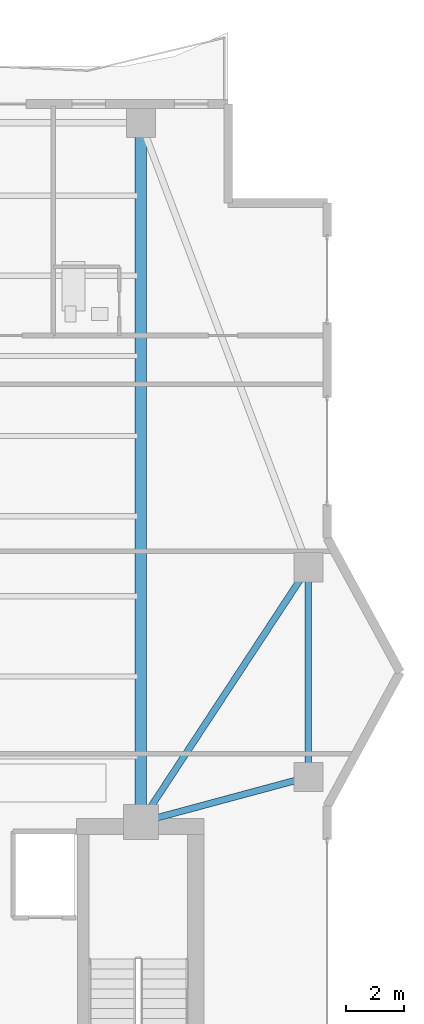
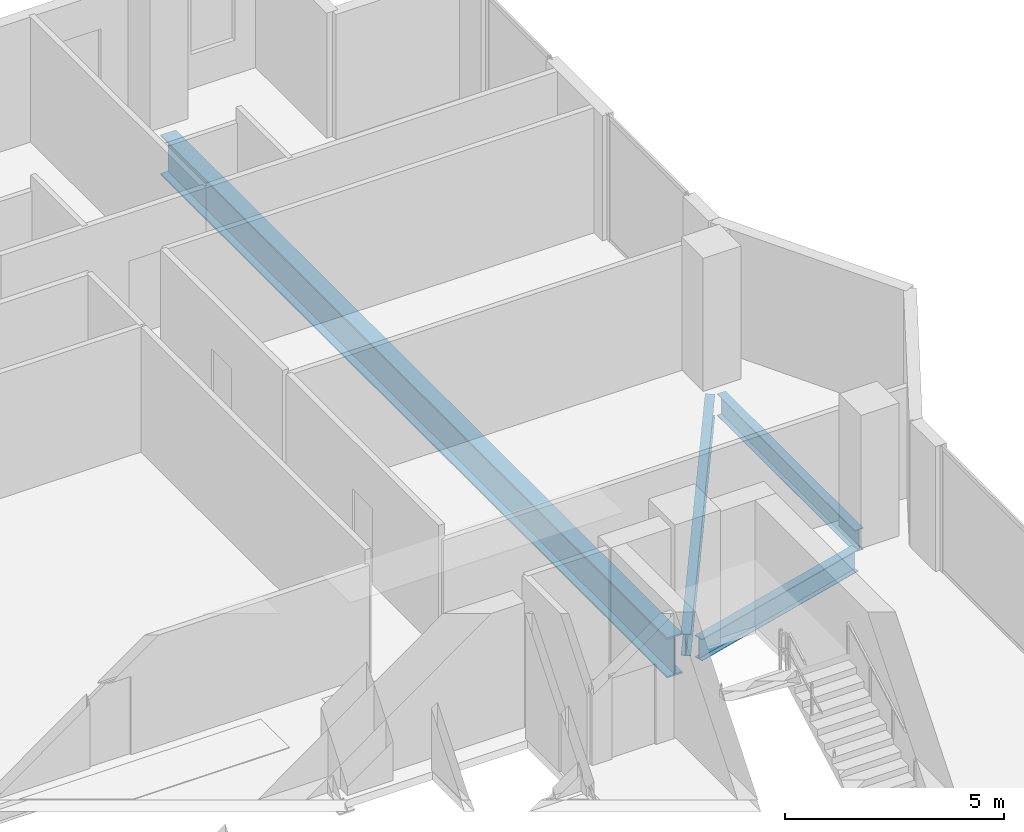
# One storey, part 11 of 23: 4 beams.
"""IFC4 building model written with IfcOpenShell, lengths in metres."""

from ifc_helpers import new_model, si_unit, direction, frame, origin, origin_2d, place, context, subcontext, project, spatial, i_section, extrude, material, material_profile, profile_set, type_object, element, save


model = new_model("IFC4")

# Units and contexts
model_context = context("Model", 3, precision=1e-05, world=origin(), true_north=direction((0.0, 1.0)))
body_context = subcontext(model_context, "Body", "Model", "MODEL_VIEW")
ifc_project = project(units=[si_unit("LENGTHUNIT", "METRE"), si_unit("AREAUNIT", "SQUARE_METRE"), si_unit("VOLUMEUNIT", "CUBIC_METRE"), si_unit("PLANEANGLEUNIT", "RADIAN"), si_unit("MASSUNIT", "GRAM", prefix="KILO")], contexts=[model_context])

# Site, building, storey
site_placement = place(None, origin())
site = spatial("IfcSite", under=ifc_project, at=site_placement, CompositionType="ELEMENT")
building_placement = place(site_placement, origin())
building = spatial("IfcBuilding", under=site, at=building_placement, Name="Zuhayl Quay Hotel", CompositionType="ELEMENT")
storey_placement = place(building_placement, frame((0.0, 0.0, 272.949951171875)))
storey = spatial("IfcBuildingStorey", under=building, at=storey_placement, Name="L69", CompositionType="ELEMENT", Elevation=272.949951171875)

# Beams
ifc_material_1 = material(Name="Steel ASTM A992 Grade 50", Category="steel")
ifc_material_profile_1 = material_profile(ifc_material_1, i_section(OverallWidth=0.22802734375, OverallDepth=0.60693359375, WebThickness=0.01123046875, FlangeThickness=0.017333984375, at=origin_2d()), Name="W24X76")
ifc_profile_set_1 = profile_set([ifc_material_profile_1], Name="Steel ASTM A992 Grade 50")
beam_type_1 = type_object("IfcBeamType", Name="BM_B3_W24X76", PredefinedType="BEAM", material=ifc_profile_set_1)
beam_1_placement = place(storey_placement, frame((19.550048828125, 16.360107421875, -0.5234375), z_axis=(0.0, 1.0, 0.0), x_axis=(-1.0, 0.0, 0.0)))
element("IfcBeam", 1, at=beam_1_placement, inside=storey, type_object=beam_type_1, Name="L69 Floor Beam RG_L69_05", PredefinedType="BEAM", context=body_context, shape_type="SweptSolid", body=[
    extrude(i_section(OverallWidth=0.22802734375, OverallDepth=0.60693359375, WebThickness=0.01123046875, FlangeThickness=0.017333984375, at=origin_2d()), origin(), (0.0, 0.0, 1.0), 6.27978515625),
])
beam_2_placement = place(storey_placement, frame((14.234619140625, 14.467041015625, -0.5234375), z_axis=(0.965530205773, 0.26029103277, 0.0), x_axis=(-0.26029103277, 0.965530205773, 0.0)))
element("IfcBeam", 2, at=beam_2_placement, inside=storey, type_object=beam_type_1, Name="L69 Floor Beam FG_E_L69_1", PredefinedType="BEAM", context=body_context, shape_type="SweptSolid", body=[
    extrude(i_section(OverallWidth=0.22802734375, OverallDepth=0.60693359375, WebThickness=0.01123046875, FlangeThickness=0.017333984375, at=origin_2d()), origin(), (0.0, 0.0, 1.0), 5.045166015625),
])
beam_3_placement = place(storey_placement, frame((14.047119140625, 14.72607421875, -0.5234375), z_axis=(0.549177886661, 0.835705479701, 0.0), x_axis=(-0.835705479701, 0.549177886661, 0.0)))
element("IfcBeam", 3, at=beam_3_placement, inside=storey, type_object=beam_type_1, Name="L69 Floor Beam FG_E_L69_2", PredefinedType="BEAM", context=body_context, shape_type="SweptSolid", body=[
    extrude(i_section(OverallWidth=0.22802734375, OverallDepth=0.60693359375, WebThickness=0.01123046875, FlangeThickness=0.017333984375, at=origin_2d()), origin(), (0.0, 0.0, 1.0), 9.560302734375),
])
ifc_material_2 = material(Name="Steel ASTM A913 Grade 65", Category="steel")
ifc_material_profile_2 = material_profile(ifc_material_2, i_section(OverallWidth=0.404052734375, OverallDepth=1.117919921875, WebThickness=0.026123046875, FlangeThickness=0.044921875, at=origin_2d()), Name="W44X335")
ifc_profile_set_2 = profile_set([ifc_material_profile_2], Name="Steel ASTM A913 Grade 65")
beam_type_2 = type_object("IfcBeamType", Name="BM_TG1_W44X335", PredefinedType="BEAM", material=ifc_profile_set_2)
beam_4_placement = place(storey_placement, frame((13.800048828125, 14.800048828125, -0.779052734375), z_axis=(0.0, 1.0, 0.0), x_axis=(-1.0, 0.0, 0.0)))
element("IfcBeam", 4, at=beam_4_placement, inside=storey, type_object=beam_type_2, Name="L69 Floor Beam FG_N_L69_4", PredefinedType="BEAM", context=body_context, shape_type="SweptSolid", body=[
    extrude(i_section(OverallWidth=0.404052734375, OverallDepth=1.117919921875, WebThickness=0.026123046875, FlangeThickness=0.044921875, at=origin_2d()), origin(), (0.0, 0.0, 1.0), 23.08984375),
])

save(model, "model.ifc")
